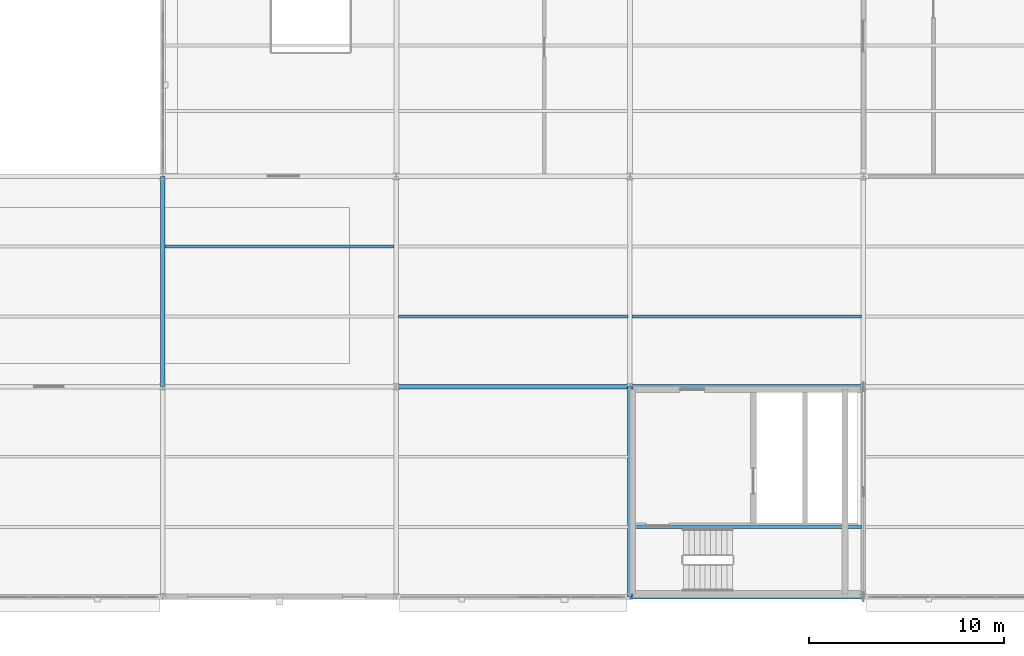
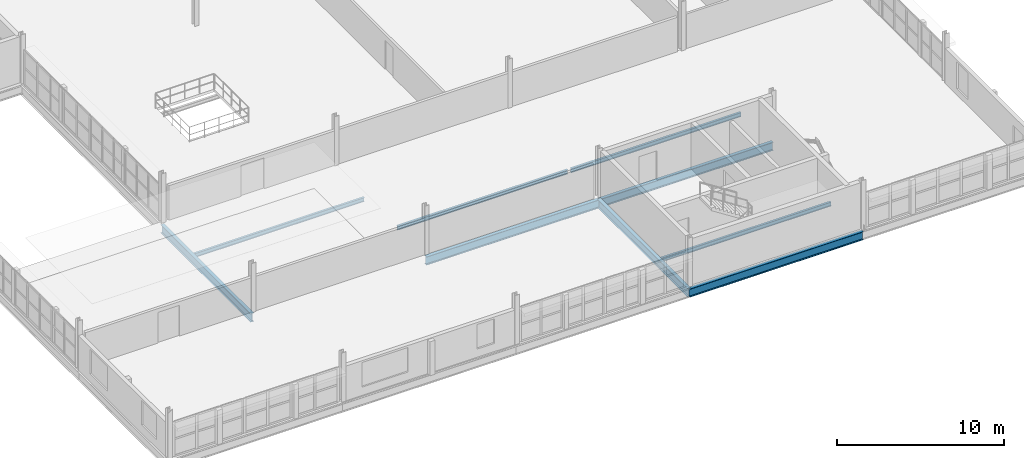
# One storey, part 36 of 79: 9 beams.
"""IFC4 building model written with IfcOpenShell, lengths in metres."""

from ifc_helpers import new_model, si_unit, direction, frame, origin, origin_2d, place, context, subcontext, project, spatial, i_section, extrude, material, material_profile, profile_set, type_object, element, save


model = new_model("IFC4")

# Units and contexts
model_context = context("Model", 3, precision=1e-05, world=origin(), true_north=direction((0.0, 1.0)))
body_context = subcontext(model_context, "Body", "Model", "MODEL_VIEW")
ifc_project = project(units=[si_unit("LENGTHUNIT", "METRE"), si_unit("AREAUNIT", "SQUARE_METRE"), si_unit("VOLUMEUNIT", "CUBIC_METRE"), si_unit("PLANEANGLEUNIT", "RADIAN"), si_unit("MASSUNIT", "GRAM", prefix="KILO"), si_unit("THERMODYNAMICTEMPERATUREUNIT", "KELVIN"), si_unit("POWERUNIT", "WATT")], contexts=[model_context])

# Site, building, storey
site_placement = place(None, origin())
site = spatial("IfcSite", under=ifc_project, at=site_placement, CompositionType="ELEMENT")
building_placement = place(site_placement, origin())
building = spatial("IfcBuilding", under=site, at=building_placement, Name="Tembeka Court Mobility Hub", CompositionType="ELEMENT")
storey_placement = place(building_placement, frame((0.0, 0.0, 9.0)))
storey = spatial("IfcBuildingStorey", under=building, at=storey_placement, Name="L02", CompositionType="ELEMENT", Elevation=9.0)

# Beams
ifc_material = material(Name="Steel S355", Category="steel")
ifc_material_profile_1 = material_profile(ifc_material, i_section(OverallWidth=0.22900390625, OverallDepth=0.612060546875, WebThickness=0.011962890625, FlangeThickness=0.01953125, FilletRadius=0.0126953125, at=origin_2d()), Name="UKB 610x229x125")
ifc_profile_set_1 = profile_set([ifc_material_profile_1], Name="Steel S355")
beam_type_1 = type_object("IfcBeamType", Name="BM-G02", PredefinedType="USERDEFINED", material=ifc_profile_set_1)
for number, where, z_axis, x_axis, name in (
    (1, (152.39990234375, 0.0, -0.49609375), (1.0, 0.0, 0.0), (0.0, 1.0, 0.0), "Beam G02 (BM-L02-X1183)"),
    (2, (140.39990234375, 10.800048828125, -0.49609375), (1.0, 0.0, 0.0), (0.0, 1.0, 0.0), "Beam G02 (BM-L02-X1190)"),
    (3, (152.39990234375, 10.800048828125, -0.49609375), (1.0, 0.0, 0.0), (0.0, 1.0, 0.0), "Beam G02 (BM-L02-X1191)"),
):
    element("IfcBeam", number, at=place(storey_placement, frame(where, z_axis=z_axis, x_axis=x_axis)), inside=storey, type_object=beam_type_1, Name=name, ObjectType="GIRDER", PredefinedType="USERDEFINED", context=body_context, shape_type="SweptSolid", body=[
        extrude(i_section(OverallWidth=0.22900390625, OverallDepth=0.612060546875, WebThickness=0.011962890625, FlangeThickness=0.01953125, FilletRadius=0.0126953125, at=origin_2d()), origin(), (0.0, 0.0, 1.0), 12.0),
    ])
for number, where, z_axis, x_axis, name in (
    (4, (128.39990234375, 10.800048828125, -0.49609375), (0.0, 1.0, 0.0), (-1.0, 0.0, 0.0), "Beam G02 (BM-L02-Y1416)"),
    (5, (152.39990234375, 0.0, -0.49609375), (0.0, 1.0, 0.0), (-1.0, 0.0, 0.0), "Beam G02 (BM-L02-Y1423)"),
):
    element("IfcBeam", number, at=place(storey_placement, frame(where, z_axis=z_axis, x_axis=x_axis)), inside=storey, type_object=beam_type_1, Name=name, ObjectType="GIRDER", PredefinedType="USERDEFINED", context=body_context, shape_type="SweptSolid", body=[
        extrude(i_section(OverallWidth=0.22900390625, OverallDepth=0.612060546875, WebThickness=0.011962890625, FlangeThickness=0.01953125, FilletRadius=0.0126953125, at=origin_2d()), origin(), (0.0, 0.0, 1.0), 10.800048828125),
    ])
ifc_material_profile_2 = material_profile(ifc_material, i_section(OverallWidth=0.14990234375, OverallDepth=0.300048828125, WebThickness=0.007080078125, FlangeThickness=0.0107421875, FilletRadius=0.014892578125, at=origin_2d()), Name="IPE 300")
ifc_profile_set_2 = profile_set([ifc_material_profile_2], Name="Steel S355")
beam_type_2 = type_object("IfcBeamType", Name="BM-J04", PredefinedType="JOIST", material=ifc_profile_set_2)
for number, where, z_axis, x_axis, name in (
    (6, (128.509521484375, 18.0, -0.340087890625), (1.0, 0.0, 0.0), (0.0, 1.0, 0.0), "Beam J04 (JST-L02-1642)"),
    (7, (140.509521484375, 14.39990234375, -0.340087890625), (1.0, 0.0, 0.0), (0.0, 1.0, 0.0), "Beam J04 (JST-L02-1651)"),
    (8, (152.509521484375, 3.60009765625, -0.340087890625), (1.0, 0.0, 0.0), (0.0, 1.0, 0.0), "Beam J04 (JST-L02-1659)"),
    (9, (152.509521484375, 14.39990234375, -0.340087890625), (1.0, 0.0, 0.0), (0.0, 1.0, 0.0), "Beam J04 (JST-L02-1660)"),
):
    element("IfcBeam", number, at=place(storey_placement, frame(where, z_axis=z_axis, x_axis=x_axis)), inside=storey, type_object=beam_type_2, Name=name, PredefinedType="JOIST", context=body_context, shape_type="SweptSolid", body=[
        extrude(i_section(OverallWidth=0.14990234375, OverallDepth=0.300048828125, WebThickness=0.007080078125, FlangeThickness=0.0107421875, FilletRadius=0.014892578125, at=origin_2d()), origin(), (0.0, 0.0, 1.0), 11.781005859375),
    ])

save(model, "model.ifc")
